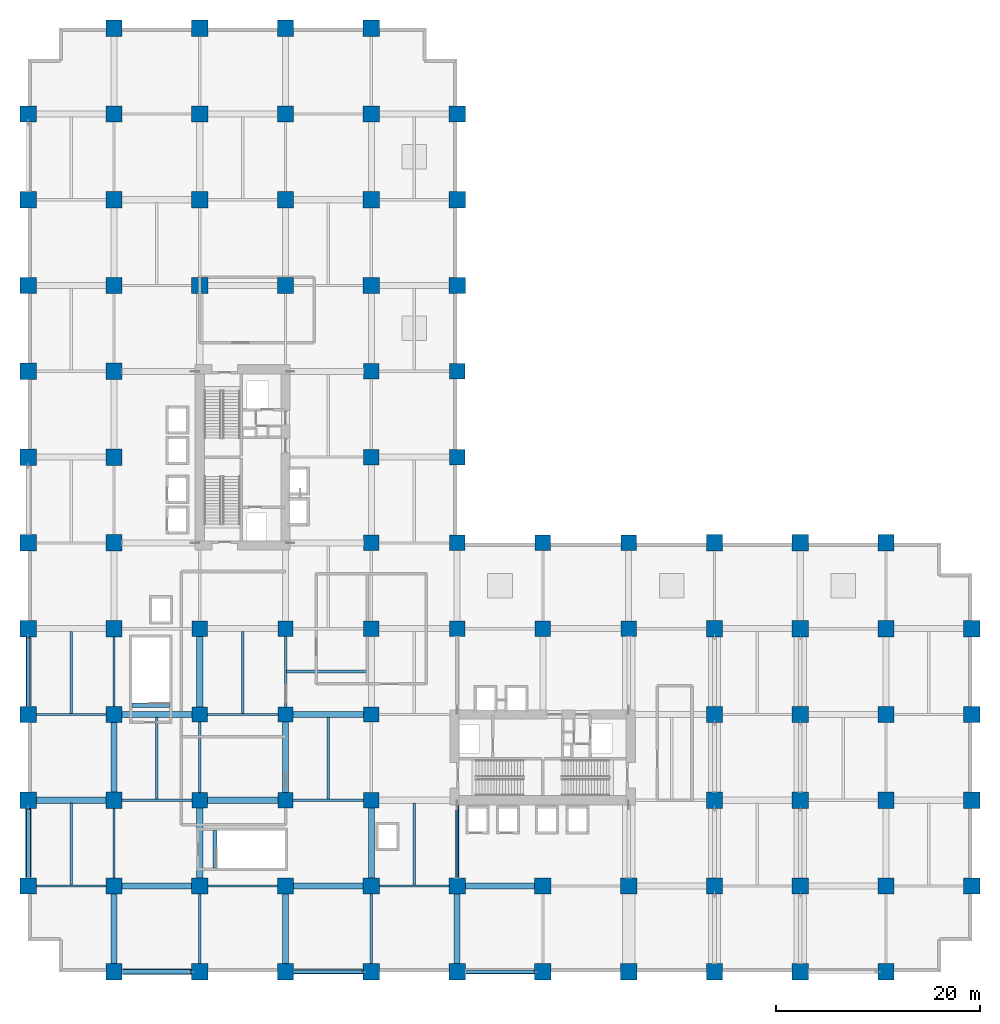
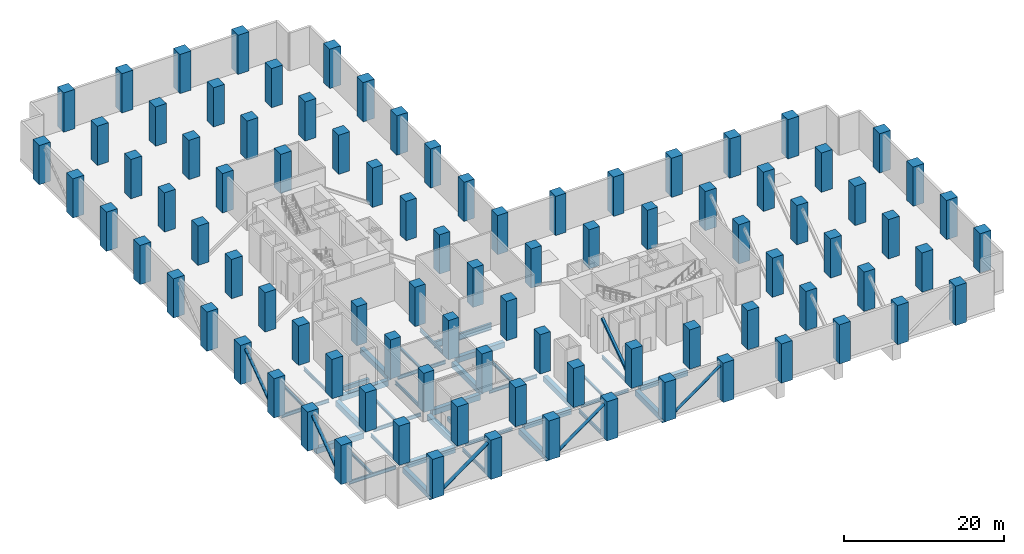
# One storey, part 1 of 20: 91 columns, 38 beams, 6 members.
"""IFC4 building model written with IfcOpenShell, lengths in metres."""

from ifc_helpers import new_model, si_unit, direction, frame, origin, origin_2d, place, context, subcontext, project, spatial, rectangle, hollow_rectangle, hollow_circle, i_section, extrude, material, material_profile, profile_set, type_object, element, save


model = new_model("IFC4")

# Units and contexts
model_context = context("Model", 3, precision=1e-05, world=origin(), true_north=direction((0.0, 1.0)))
body_context = subcontext(model_context, "Body", "Model", "MODEL_VIEW")
ifc_project = project(units=[si_unit("LENGTHUNIT", "METRE"), si_unit("AREAUNIT", "SQUARE_METRE"), si_unit("VOLUMEUNIT", "CUBIC_METRE"), si_unit("PLANEANGLEUNIT", "RADIAN"), si_unit("MASSUNIT", "GRAM", prefix="KILO")], contexts=[model_context])

# Site, building, storey
site_placement = place(None, origin())
site = spatial("IfcSite", under=ifc_project, at=site_placement, CompositionType="ELEMENT")
building_placement = place(site_placement, origin())
building = spatial("IfcBuilding", under=site, at=building_placement, Name="Koriwani Terraces Tower", CompositionType="ELEMENT")
storey_placement = place(building_placement, frame((0.0, 0.0, 26.0)))
storey = spatial("IfcBuildingStorey", under=building, at=storey_placement, Name="L05", CompositionType="ELEMENT", Elevation=26.0)

# Columns
ifc_material_1 = material(Name="Concrete C60/75", Category="concrete")
ifc_material_profile_1 = material_profile(ifc_material_1, rectangle(XDim=1.5, YDim=1.5, at=origin_2d()), Name="Concrete C60/75", Category="LoadBearing")
ifc_profile_set_1 = profile_set([ifc_material_profile_1], Name="Concrete C60/75")
column_type_1 = type_object("IfcColumnType", Name="COL_RC_1500X1500", PredefinedType="COLUMN", material=ifc_profile_set_1)
for number, where, z_axis, x_axis, name in (
    (1, (16.800048828125, 16.800048828125, 0.0), (0.0, 0.0, 1.0), (1.0, 0.0, 0.0), "L05 Column 3/C"),
    (2, (16.800048828125, 25.199951171875, 0.0), (0.0, 0.0, 1.0), (1.0, 0.0, 0.0), "L05 Column 3/D"),
    (3, (16.800048828125, 33.60009765625, 0.0), (0.0, 0.0, 1.0), (1.0, 0.0, 0.0), "L05 Column 3/E"),
    (4, (25.199951171875, 16.800048828125, 0.0), (0.0, 0.0, 1.0), (1.0, 0.0, 0.0), "L05 Column 4/C"),
    (5, (25.199951171875, 25.199951171875, 0.0), (0.0, 0.0, 1.0), (1.0, 0.0, 0.0), "L05 Column 4/D"),
    (6, (25.199951171875, 33.60009765625, 0.0), (0.0, 0.0, 1.0), (1.0, 0.0, 0.0), "L05 Column 4/E"),
    (7, (33.60009765625, 16.800048828125, 0.0), (0.0, 0.0, 1.0), (1.0, 0.0, 0.0), "L05 Column 5/C"),
    (8, (33.60009765625, 25.199951171875, 0.0), (0.0, 0.0, 1.0), (1.0, 0.0, 0.0), "L05 Column 5/D"),
    (9, (33.60009765625, 33.60009765625, 0.0), (0.0, 0.0, 1.0), (1.0, 0.0, 0.0), "L05 Column 5/E"),
    (10, (33.60009765625, 42.0, 0.0), (0.0, 0.0, 1.0), (1.0, 0.0, 0.0), "L05 Column 5/F"),
    (11, (33.60009765625, 50.39990234375, 0.0), (0.0, 0.0, 1.0), (1.0, 0.0, 0.0), "L05 Column 5/G"),
    (12, (33.60009765625, 58.800048828125, 0.0), (0.0, 0.0, 1.0), (1.0, 0.0, 0.0), "L05 Column 5/H"),
    (13, (42.0, 33.60009765625, 0.0), (0.0, 0.0, 1.0), (1.0, 0.0, 0.0), "L05 Column 6/E"),
    (14, (42.0, 42.0, 0.0), (0.0, 0.0, 1.0), (1.0, 0.0, 0.0), "L05 Column 6/F"),
    (15, (42.0, 50.39990234375, 0.0), (0.0, 0.0, 1.0), (1.0, 0.0, 0.0), "L05 Column 6/G"),
    (16, (42.0, 58.800048828125, 0.0), (0.0, 0.0, 1.0), (1.0, 0.0, 0.0), "L05 Column 6/H"),
    (17, (50.39990234375, 33.60009765625, 0.0), (0.0, 0.0, 1.0), (1.0, 0.0, 0.0), "L05 Column 7/E"),
    (18, (50.39990234375, 42.0, 0.0), (0.0, 0.0, 1.0), (1.0, 0.0, 0.0), "L05 Column 7/F"),
    (19, (58.800048828125, 33.60009765625, 0.0), (0.0, 0.0, 1.0), (1.0, 0.0, 0.0), "L05 Column 8/E"),
    (20, (58.800048828125, 42.0, 0.0), (0.0, 0.0, 1.0), (1.0, 0.0, 0.0), "L05 Column 8/F"),
):
    element("IfcColumn", number, at=place(storey_placement, frame(where, z_axis=z_axis, x_axis=x_axis)), inside=storey, type_object=column_type_1, Name=name, PredefinedType="COLUMN", context=body_context, shape_type="SweptSolid", body=[
        extrude(rectangle(XDim=1.5, YDim=1.5, at=origin_2d()), origin(), (0.0, 0.0, 1.0), 6.0),
    ])
ifc_material_profile_2 = material_profile(ifc_material_1, rectangle(XDim=1.60009765625, YDim=1.60009765625, at=origin_2d()), Name="Concrete C60/75", Category="LoadBearing")
ifc_profile_set_2 = profile_set([ifc_material_profile_2], Name="Concrete C60/75")
column_type_2 = type_object("IfcColumnType", Name="COL_RC_1600X1600", PredefinedType="COLUMN", material=ifc_profile_set_2)
for number, where, z_axis, x_axis, name in (
    (21, (0.0, 8.39990234375, 0.0), (0.0, 0.0, 1.0), (1.0, 0.0, 0.0), "L05 Column 1/B"),
    (22, (0.0, 16.800048828125, 0.0), (0.0, 0.0, 1.0), (1.0, 0.0, 0.0), "L05 Column 1/C"),
    (23, (0.0, 25.199951171875, 0.0), (0.0, 0.0, 1.0), (1.0, 0.0, 0.0), "L05 Column 1/D"),
    (24, (0.0, 33.60009765625, 0.0), (0.0, 0.0, 1.0), (1.0, 0.0, 0.0), "L05 Column 1/E"),
    (25, (0.0, 42.0, 0.0), (0.0, 0.0, 1.0), (1.0, 0.0, 0.0), "L05 Column 1/F"),
    (26, (0.0, 50.39990234375, 0.0), (0.0, 0.0, 1.0), (1.0, 0.0, 0.0), "L05 Column 1/G"),
    (27, (0.0, 58.800048828125, 0.0), (0.0, 0.0, 1.0), (1.0, 0.0, 0.0), "L05 Column 1/H"),
    (28, (0.0, 67.199951171875, 0.0), (0.0, 0.0, 1.0), (1.0, 0.0, 0.0), "L05 Column 1/I"),
    (29, (0.0, 75.60009765625, 0.0), (0.0, 0.0, 1.0), (1.0, 0.0, 0.0), "L05 Column 1/J"),
    (30, (0.0, 84.0, 0.0), (0.0, 0.0, 1.0), (1.0, 0.0, 0.0), "L05 Column 1/K"),
    (31, (8.39990234375, 0.0, 0.0), (0.0, 0.0, 1.0), (1.0, 0.0, 0.0), "L05 Column 2/A"),
    (32, (8.39990234375, 8.39990234375, 0.0), (0.0, 0.0, 1.0), (1.0, 0.0, 0.0), "L05 Column 2/B"),
    (33, (8.39990234375, 16.800048828125, 0.0), (0.0, 0.0, 1.0), (1.0, 0.0, 0.0), "L05 Column 2/C"),
    (34, (8.39990234375, 25.199951171875, 0.0), (0.0, 0.0, 1.0), (1.0, 0.0, 0.0), "L05 Column 2/D"),
    (35, (8.39990234375, 33.60009765625, 0.0), (0.0, 0.0, 1.0), (1.0, 0.0, 0.0), "L05 Column 2/E"),
    (36, (8.39990234375, 42.0, 0.0), (0.0, 0.0, 1.0), (1.0, 0.0, 0.0), "L05 Column 2/F"),
    (37, (8.39990234375, 50.39990234375, 0.0), (0.0, 0.0, 1.0), (1.0, 0.0, 0.0), "L05 Column 2/G"),
    (38, (8.39990234375, 58.800048828125, 0.0), (0.0, 0.0, 1.0), (1.0, 0.0, 0.0), "L05 Column 2/H"),
    (39, (8.39990234375, 67.199951171875, 0.0), (0.0, 0.0, 1.0), (1.0, 0.0, 0.0), "L05 Column 2/I"),
    (40, (8.39990234375, 75.60009765625, 0.0), (0.0, 0.0, 1.0), (1.0, 0.0, 0.0), "L05 Column 2/J"),
    (41, (8.39990234375, 84.0, 0.0), (0.0, 0.0, 1.0), (1.0, 0.0, 0.0), "L05 Column 2/K"),
    (42, (8.39990234375, 92.39990234375, 0.0), (0.0, 0.0, 1.0), (1.0, 0.0, 0.0), "L05 Column 2/L"),
    (43, (16.800048828125, 0.0, 0.0), (0.0, 0.0, 1.0), (1.0, 0.0, 0.0), "L05 Column 3/A"),
    (44, (16.800048828125, 8.39990234375, 0.0), (0.0, 0.0, 1.0), (1.0, 0.0, 0.0), "L05 Column 3/B"),
    (45, (16.800048828125, 67.199951171875, 0.0), (0.0, 0.0, 1.0), (1.0, 0.0, 0.0), "L05 Column 3/I"),
    (46, (16.800048828125, 75.60009765625, 0.0), (0.0, 0.0, 1.0), (1.0, 0.0, 0.0), "L05 Column 3/J"),
    (47, (16.800048828125, 84.0, 0.0), (0.0, 0.0, 1.0), (1.0, 0.0, 0.0), "L05 Column 3/K"),
    (48, (16.800048828125, 92.39990234375, 0.0), (0.0, 0.0, 1.0), (1.0, 0.0, 0.0), "L05 Column 3/L"),
    (49, (25.199951171875, 0.0, 0.0), (0.0, 0.0, 1.0), (1.0, 0.0, 0.0), "L05 Column 4/A"),
    (50, (25.199951171875, 8.39990234375, 0.0), (0.0, 0.0, 1.0), (1.0, 0.0, 0.0), "L05 Column 4/B"),
    (51, (25.199951171875, 67.199951171875, 0.0), (0.0, 0.0, 1.0), (1.0, 0.0, 0.0), "L05 Column 4/I"),
    (52, (25.199951171875, 75.60009765625, 0.0), (0.0, 0.0, 1.0), (1.0, 0.0, 0.0), "L05 Column 4/J"),
    (53, (25.199951171875, 84.0, 0.0), (0.0, 0.0, 1.0), (1.0, 0.0, 0.0), "L05 Column 4/K"),
    (54, (25.199951171875, 92.39990234375, 0.0), (0.0, 0.0, 1.0), (1.0, 0.0, 0.0), "L05 Column 4/L"),
    (55, (33.60009765625, 0.0, 0.0), (0.0, 0.0, 1.0), (1.0, 0.0, 0.0), "L05 Column 5/A"),
    (56, (33.60009765625, 8.39990234375, 0.0), (0.0, 0.0, 1.0), (1.0, 0.0, 0.0), "L05 Column 5/B"),
    (57, (33.60009765625, 67.199951171875, 0.0), (0.0, 0.0, 1.0), (1.0, 0.0, 0.0), "L05 Column 5/I"),
    (58, (33.60009765625, 75.60009765625, 0.0), (0.0, 0.0, 1.0), (1.0, 0.0, 0.0), "L05 Column 5/J"),
    (59, (33.60009765625, 84.0, 0.0), (0.0, 0.0, 1.0), (1.0, 0.0, 0.0), "L05 Column 5/K"),
    (60, (33.60009765625, 92.39990234375, 0.0), (0.0, 0.0, 1.0), (1.0, 0.0, 0.0), "L05 Column 5/L"),
    (61, (42.0, 0.0, 0.0), (0.0, 0.0, 1.0), (1.0, 0.0, 0.0), "L05 Column 6/A"),
    (62, (42.0, 8.39990234375, 0.0), (0.0, 0.0, 1.0), (1.0, 0.0, 0.0), "L05 Column 6/B"),
    (63, (42.0, 67.199951171875, 0.0), (0.0, 0.0, 1.0), (1.0, 0.0, 0.0), "L05 Column 6/I"),
    (64, (42.0, 75.60009765625, 0.0), (0.0, 0.0, 1.0), (1.0, 0.0, 0.0), "L05 Column 6/J"),
    (65, (42.0, 84.0, 0.0), (0.0, 0.0, 1.0), (1.0, 0.0, 0.0), "L05 Column 6/K"),
    (66, (50.39990234375, 0.0, 0.0), (0.0, 0.0, 1.0), (1.0, 0.0, 0.0), "L05 Column 7/A"),
    (67, (50.39990234375, 8.39990234375, 0.0), (0.0, 0.0, 1.0), (1.0, 0.0, 0.0), "L05 Column 7/B"),
    (68, (58.800048828125, 0.0, 0.0), (0.0, 0.0, 1.0), (1.0, 0.0, 0.0), "L05 Column 8/A"),
    (69, (58.800048828125, 8.39990234375, 0.0), (0.0, 0.0, 1.0), (1.0, 0.0, 0.0), "L05 Column 8/B"),
    (70, (67.199951171875, 0.0, 0.0), (0.0, 0.0, 1.0), (1.0, 0.0, 0.0), "L05 Column 9/A"),
    (71, (67.199951171875, 8.39990234375, 0.0), (0.0, 0.0, 1.0), (1.0, 0.0, 0.0), "L05 Column 9/B"),
    (72, (67.199951171875, 16.800048828125, 0.0), (0.0, 0.0, 1.0), (1.0, 0.0, 0.0), "L05 Column 9/C"),
    (73, (67.199951171875, 25.199951171875, 0.0), (0.0, 0.0, 1.0), (1.0, 0.0, 0.0), "L05 Column 9/D"),
    (74, (67.199951171875, 33.60009765625, 0.0), (0.0, 0.0, 1.0), (1.0, 0.0, 0.0), "L05 Column 9/E"),
    (75, (67.199951171875, 42.0, 0.0), (0.0, 0.0, 1.0), (1.0, 0.0, 0.0), "L05 Column 9/F"),
    (76, (75.60009765625, 0.0, 0.0), (0.0, 0.0, 1.0), (1.0, 0.0, 0.0), "L05 Column 10/A"),
    (77, (75.60009765625, 8.39990234375, 0.0), (0.0, 0.0, 1.0), (1.0, 0.0, 0.0), "L05 Column 10/B"),
    (78, (75.60009765625, 16.800048828125, 0.0), (0.0, 0.0, 1.0), (1.0, 0.0, 0.0), "L05 Column 10/C"),
    (79, (75.60009765625, 25.199951171875, 0.0), (0.0, 0.0, 1.0), (1.0, 0.0, 0.0), "L05 Column 10/D"),
    (80, (75.60009765625, 33.60009765625, 0.0), (0.0, 0.0, 1.0), (1.0, 0.0, 0.0), "L05 Column 10/E"),
    (81, (75.60009765625, 42.0, 0.0), (0.0, 0.0, 1.0), (1.0, 0.0, 0.0), "L05 Column 10/F"),
    (82, (84.0, 0.0, 0.0), (0.0, 0.0, 1.0), (1.0, 0.0, 0.0), "L05 Column 11/A"),
    (83, (84.0, 8.39990234375, 0.0), (0.0, 0.0, 1.0), (1.0, 0.0, 0.0), "L05 Column 11/B"),
    (84, (84.0, 16.800048828125, 0.0), (0.0, 0.0, 1.0), (1.0, 0.0, 0.0), "L05 Column 11/C"),
    (85, (84.0, 25.199951171875, 0.0), (0.0, 0.0, 1.0), (1.0, 0.0, 0.0), "L05 Column 11/D"),
    (86, (84.0, 33.60009765625, 0.0), (0.0, 0.0, 1.0), (1.0, 0.0, 0.0), "L05 Column 11/E"),
    (87, (84.0, 42.0, 0.0), (0.0, 0.0, 1.0), (1.0, 0.0, 0.0), "L05 Column 11/F"),
    (88, (92.39990234375, 8.39990234375, 0.0), (0.0, 0.0, 1.0), (1.0, 0.0, 0.0), "L05 Column 12/B"),
    (89, (92.39990234375, 16.800048828125, 0.0), (0.0, 0.0, 1.0), (1.0, 0.0, 0.0), "L05 Column 12/C"),
    (90, (92.39990234375, 25.199951171875, 0.0), (0.0, 0.0, 1.0), (1.0, 0.0, 0.0), "L05 Column 12/D"),
    (91, (92.39990234375, 33.60009765625, 0.0), (0.0, 0.0, 1.0), (1.0, 0.0, 0.0), "L05 Column 12/E"),
):
    element("IfcColumn", number, at=place(storey_placement, frame(where, z_axis=z_axis, x_axis=x_axis)), inside=storey, type_object=column_type_2, Name=name, PredefinedType="COLUMN", context=body_context, shape_type="SweptSolid", body=[
        extrude(rectangle(XDim=1.60009765625, YDim=1.60009765625, at=origin_2d()), origin(), (0.0, 0.0, 1.0), 6.0),
    ])

# Beams
ifc_material_2 = material(Name="Concrete C40/50", Category="concrete")
ifc_material_profile_3 = material_profile(ifc_material_2, rectangle(XDim=0.39990234375, YDim=0.60009765625, at=origin_2d()), Name="Concrete C40/50", Category="LoadBearing")
ifc_profile_set_3 = profile_set([ifc_material_profile_3], Name="Concrete C40/50")
beam_type_1 = type_object("IfcBeamType", Name="BEAM_RC_GRID_400X600", PredefinedType="BEAM", material=ifc_profile_set_3)
for number, where, z_axis, x_axis, name in (
    (92, (10.14990234375, 26.10498046875, -0.300048828125), (1.0, 0.0, 0.0), (0.0, 1.0, 0.0), "L05 Stairwell Header Trimmer Beam ST-P1"),
    (93, (18.304931640625, 10.14990234375, -0.300048828125), (0.0, 1.0, 0.0), (-1.0, 0.0, 0.0), "L05 Stairwell Header Trimmer Beam ST-P2"),
):
    element("IfcBeam", number, at=place(storey_placement, frame(where, z_axis=z_axis, x_axis=x_axis)), inside=storey, type_object=beam_type_1, Name=name, PredefinedType="BEAM", context=body_context, shape_type="SweptSolid", body=[
        extrude(rectangle(XDim=0.39990234375, YDim=0.60009765625, at=origin_2d()), origin(), (0.0, 0.0, 1.0), 3.7001953125),
    ])
ifc_material_profile_4 = material_profile(ifc_material_1, rectangle(XDim=0.60009765625, YDim=0.85009765625, at=origin_2d()), Name="Concrete C60/75", Category="LoadBearing")
ifc_profile_set_4 = profile_set([ifc_material_profile_4], Name="Concrete C60/75")
beam_type_2 = type_object("IfcBeamType", Name="BEAM_RC_GRID_600X850", PredefinedType="BEAM", material=ifc_profile_set_4)
for number, where, z_axis, x_axis, name in (
    (94, (9.179931640625, 8.39990234375, -0.875), (1.0, 0.0, 0.0), (0.0, 1.0, 0.0), "L05 Grid Beam B (8.4-16.8m)"),
    (95, (25.97998046875, 8.39990234375, -0.875), (1.0, 0.0, 0.0), (0.0, 1.0, 0.0), "L05 Grid Beam B (25.2-33.6m)"),
    (96, (42.780029296875, 8.39990234375, -0.875), (1.0, 0.0, 0.0), (0.0, 1.0, 0.0), "L05 Grid Beam B (42.0-50.4m)"),
    (97, (0.780029296875, 16.800048828125, -0.875), (1.0, 0.0, 0.0), (0.0, 1.0, 0.0), "L05 Grid Beam C (0.0-8.4m)"),
):
    element("IfcBeam", number, at=place(storey_placement, frame(where, z_axis=z_axis, x_axis=x_axis)), inside=storey, type_object=beam_type_2, Name=name, PredefinedType="BEAM", context=body_context, shape_type="SweptSolid", body=[
        extrude(rectangle(XDim=0.60009765625, YDim=0.85009765625, at=origin_2d()), origin(), (0.0, 0.0, 1.0), 6.840087890625),
    ])
beam_1_placement = place(storey_placement, frame((17.530029296875, 16.800048828125, -0.875), z_axis=(1.0, 0.0, 0.0), x_axis=(0.0, 1.0, 0.0)))
element("IfcBeam", 98, at=beam_1_placement, inside=storey, type_object=beam_type_2, Name="L05 Grid Beam C (16.8-25.2m)", PredefinedType="BEAM", context=body_context, shape_type="SweptSolid", body=[
    extrude(rectangle(XDim=0.60009765625, YDim=0.85009765625, at=origin_2d()), origin(), (0.0, 0.0, 1.0), 6.93994140625),
])
beam_2_placement = place(storey_placement, frame((9.179931640625, 25.199951171875, -0.875), z_axis=(1.0, 0.0, 0.0), x_axis=(0.0, 1.0, 0.0)))
element("IfcBeam", 99, at=beam_2_placement, inside=storey, type_object=beam_type_2, Name="L05 Grid Beam D (8.4-16.8m)", PredefinedType="BEAM", context=body_context, shape_type="SweptSolid", body=[
    extrude(rectangle(XDim=0.60009765625, YDim=0.85009765625, at=origin_2d()), origin(), (0.0, 0.0, 1.0), 6.89013671875),
])
beam_3_placement = place(storey_placement, frame((25.929931640625, 25.199951171875, -0.875), z_axis=(1.0, 0.0, 0.0), x_axis=(0.0, 1.0, 0.0)))
element("IfcBeam", 100, at=beam_3_placement, inside=storey, type_object=beam_type_2, Name="L05 Grid Beam D (25.2-33.6m)", PredefinedType="BEAM", context=body_context, shape_type="SweptSolid", body=[
    extrude(rectangle(XDim=0.60009765625, YDim=0.85009765625, at=origin_2d()), origin(), (0.0, 0.0, 1.0), 6.940185546875),
])
beam_4_placement = place(storey_placement, frame((8.39990234375, 0.780029296875, -0.875), z_axis=(0.0, 1.0, 0.0), x_axis=(-1.0, 0.0, 0.0)))
element("IfcBeam", 101, at=beam_4_placement, inside=storey, type_object=beam_type_2, Name="L05 Grid Beam 2 (0.0-8.4m)", PredefinedType="BEAM", context=body_context, shape_type="SweptSolid", body=[
    extrude(rectangle(XDim=0.60009765625, YDim=0.85009765625, at=origin_2d()), origin(), (0.0, 0.0, 1.0), 6.840087890625),
])
beam_5_placement = place(storey_placement, frame((8.39990234375, 17.580078125, -0.875), z_axis=(0.0, 1.0, 0.0), x_axis=(-1.0, 0.0, 0.0)))
element("IfcBeam", 102, at=beam_5_placement, inside=storey, type_object=beam_type_2, Name="L05 Grid Beam 2 (16.8-25.2m)", PredefinedType="BEAM", context=body_context, shape_type="SweptSolid", body=[
    extrude(rectangle(XDim=0.60009765625, YDim=0.85009765625, at=origin_2d()), origin(), (0.0, 0.0, 1.0), 6.83984375),
])
beam_6_placement = place(storey_placement, frame((16.800048828125, 9.179931640625, -0.875), z_axis=(0.0, 1.0, 0.0), x_axis=(-1.0, 0.0, 0.0)))
element("IfcBeam", 103, at=beam_6_placement, inside=storey, type_object=beam_type_2, Name="L05 Grid Beam 3 (8.4-16.8m)", PredefinedType="BEAM", context=body_context, shape_type="SweptSolid", body=[
    extrude(rectangle(XDim=0.60009765625, YDim=0.85009765625, at=origin_2d()), origin(), (0.0, 0.0, 1.0), 6.89013671875),
])
beam_7_placement = place(storey_placement, frame((16.800048828125, 25.929931640625, -0.875), z_axis=(0.0, 1.0, 0.0), x_axis=(-1.0, 0.0, 0.0)))
element("IfcBeam", 104, at=beam_7_placement, inside=storey, type_object=beam_type_2, Name="L05 Grid Beam 3 (25.2-33.6m)", PredefinedType="BEAM", context=body_context, shape_type="SweptSolid", body=[
    extrude(rectangle(XDim=0.60009765625, YDim=0.85009765625, at=origin_2d()), origin(), (0.0, 0.0, 1.0), 6.940185546875),
])
beam_8_placement = place(storey_placement, frame((25.199951171875, 0.780029296875, -0.875), z_axis=(0.0, 1.0, 0.0), x_axis=(-1.0, 0.0, 0.0)))
element("IfcBeam", 105, at=beam_8_placement, inside=storey, type_object=beam_type_2, Name="L05 Grid Beam 4 (0.0-8.4m)", PredefinedType="BEAM", context=body_context, shape_type="SweptSolid", body=[
    extrude(rectangle(XDim=0.60009765625, YDim=0.85009765625, at=origin_2d()), origin(), (0.0, 0.0, 1.0), 6.840087890625),
])
beam_9_placement = place(storey_placement, frame((25.199951171875, 17.530029296875, -0.875), z_axis=(0.0, 1.0, 0.0), x_axis=(-1.0, 0.0, 0.0)))
element("IfcBeam", 106, at=beam_9_placement, inside=storey, type_object=beam_type_2, Name="L05 Grid Beam 4 (16.8-25.2m)", PredefinedType="BEAM", context=body_context, shape_type="SweptSolid", body=[
    extrude(rectangle(XDim=0.60009765625, YDim=0.85009765625, at=origin_2d()), origin(), (0.0, 0.0, 1.0), 6.93994140625),
])
beam_10_placement = place(storey_placement, frame((33.60009765625, 9.179931640625, -0.875), z_axis=(0.0, 1.0, 0.0), x_axis=(-1.0, 0.0, 0.0)))
element("IfcBeam", 107, at=beam_10_placement, inside=storey, type_object=beam_type_2, Name="L05 Grid Beam 5 (8.4-16.8m)", PredefinedType="BEAM", context=body_context, shape_type="SweptSolid", body=[
    extrude(rectangle(XDim=0.60009765625, YDim=0.85009765625, at=origin_2d()), origin(), (0.0, 0.0, 1.0), 6.89013671875),
])
beam_11_placement = place(storey_placement, frame((42.0, 0.780029296875, -0.875), z_axis=(0.0, 1.0, 0.0), x_axis=(-1.0, 0.0, 0.0)))
element("IfcBeam", 108, at=beam_11_placement, inside=storey, type_object=beam_type_2, Name="L05 Grid Beam 6 (0.0-8.4m)", PredefinedType="BEAM", context=body_context, shape_type="SweptSolid", body=[
    extrude(rectangle(XDim=0.60009765625, YDim=0.85009765625, at=origin_2d()), origin(), (0.0, 0.0, 1.0), 6.840087890625),
])

# Members
ifc_material_3 = material(Name="Steel ASTM A572 Grade 50", Category="steel")
ifc_material_profile_5 = material_profile(ifc_material_3, hollow_circle(Radius=0.202880859375, WallThickness=0.01611328125, at=origin_2d()), Name="Steel ASTM A572 Grade 50", Category="LoadBearing")
ifc_profile_set_5 = profile_set([ifc_material_profile_5], Name="Steel ASTM A572 Grade 50")
member_type_1 = type_object("IfcMemberType", Name="BELT_TRUSS_DIAG_CHS406X16", PredefinedType="BRACE", material=ifc_profile_set_5)
member_1_placement = place(storey_placement, frame((42.780029296875, 0.0, 0.25), z_axis=(0.810123018581, 0.0, 0.586259920824), x_axis=(0.0, 1.0, 0.0)))
element("IfcMember", 109, at=member_1_placement, inside=storey, type_object=member_type_1, Name="Belt truss diagonal L05-BS3", PredefinedType="BRACE", context=body_context, shape_type="SweptSolid", body=[
    extrude(hollow_circle(Radius=0.202880859375, WallThickness=0.01611328125, at=origin_2d()), origin(), (0.0, 0.0, 1.0), 8.443359375),
])
ifc_material_profile_6 = material_profile(ifc_material_3, hollow_circle(Radius=0.228515625, WallThickness=0.01611328125, at=origin_2d()), Name="Steel ASTM A572 Grade 50", Category="LoadBearing")
ifc_profile_set_6 = profile_set([ifc_material_profile_6], Name="Steel ASTM A572 Grade 50")
member_type_2 = type_object("IfcMemberType", Name="BELT_TRUSS_DIAG_CHS457X16", PredefinedType="STRUT", material=ifc_profile_set_6)
for number, where, z_axis, x_axis, name in (
    (110, (25.97998046875, 0.0, 0.25), (0.810123018581, 0.0, 0.586259920824), (0.0, 1.0, 0.0), "Belt truss diagonal L05-BS2"),
    (111, (0.0, 25.97998046875, 0.25), (0.0, 0.810123018581, 0.586259920824), (-1.0, 0.0, 0.0), "Belt truss diagonal L05-BW2"),
):
    element("IfcMember", number, at=place(storey_placement, frame(where, z_axis=z_axis, x_axis=x_axis)), inside=storey, type_object=member_type_2, Name=name, PredefinedType="STRUT", context=body_context, shape_type="SweptSolid", body=[
        extrude(hollow_circle(Radius=0.228515625, WallThickness=0.01611328125, at=origin_2d()), origin(), (0.0, 0.0, 1.0), 8.443359375),
    ])
ifc_material_profile_7 = material_profile(ifc_material_3, hollow_circle(Radius=0.25390625, WallThickness=0.02001953125, at=origin_2d()), Name="Steel ASTM A572 Grade 50", Category="LoadBearing")
ifc_profile_set_7 = profile_set([ifc_material_profile_7], Name="Steel ASTM A572 Grade 50")
member_type_3 = type_object("IfcMemberType", Name="BELT_TRUSS_DIAG_CHS508X20", PredefinedType="STRUT", material=ifc_profile_set_7)
for number, where, z_axis, x_axis, name in (
    (112, (9.179931640625, 0.0, 0.25), (0.810123018581, 0.0, 0.586259920824), (0.0, 1.0, 0.0), "Belt truss diagonal L05-BS1"),
    (113, (0.0, 9.179931640625, 0.25), (0.0, 0.810123018581, 0.586259920824), (-1.0, 0.0, 0.0), "Belt truss diagonal L05-BW1"),
):
    element("IfcMember", number, at=place(storey_placement, frame(where, z_axis=z_axis, x_axis=x_axis)), inside=storey, type_object=member_type_3, Name=name, PredefinedType="STRUT", context=body_context, shape_type="SweptSolid", body=[
        extrude(hollow_circle(Radius=0.25390625, WallThickness=0.02001953125, at=origin_2d()), origin(), (0.0, 0.0, 1.0), 8.443359375),
    ])
ifc_material_profile_8 = material_profile(ifc_material_3, hollow_rectangle(XDim=0.35009765625, YDim=0.35009765625, WallThickness=0.01611328125, at=origin_2d()), Name="Steel ASTM A572 Grade 50", Category="LoadBearing")
ifc_profile_set_8 = profile_set([ifc_material_profile_8], Name="Steel ASTM A572 Grade 50")
member_type_4 = type_object("IfcMemberType", Name="OUTRIGGER_BRACE_HSS350X350X16", PredefinedType="BRACE", material=ifc_profile_set_8)
member_2_placement = place(storey_placement, frame((42.0, 9.179931640625, 0.25), z_axis=(0.0, 0.822200276844, 0.569198300031), x_axis=(-1.0, 0.0, 0.0)))
element("IfcMember", 114, at=member_2_placement, inside=storey, type_object=member_type_4, Name="Outrigger truss diagonal L05-OE-S1", PredefinedType="BRACE", context=body_context, shape_type="SweptSolid", body=[
    extrude(hollow_rectangle(XDim=0.35009765625, YDim=0.35009765625, WallThickness=0.01611328125, at=origin_2d()), origin(), (0.0, 0.0, 1.0), 8.6962890625),
])

# Beams
ifc_material_profile_9 = material_profile(ifc_material_3, i_section(OverallWidth=0.300048828125, OverallDepth=1.0, WebThickness=0.01904296875, FlangeThickness=0.035888671875, at=origin_2d()), Name="Steel ASTM A572 Grade 50", Category="LoadBearing")
ifc_profile_set_9 = profile_set([ifc_material_profile_9], Name="Steel ASTM A572 Grade 50")
beam_type_3 = type_object("IfcBeamType", Name="STEEL_BEAM_W1000X371", PredefinedType="USERDEFINED", material=ifc_profile_set_9)
beam_12_placement = place(storey_placement, frame((25.280029296875, 29.39990234375, -0.949951171875), z_axis=(1.0, 0.0, 0.0), x_axis=(0.0, 1.0, 0.0)))
element("IfcBeam", 115, at=beam_12_placement, inside=storey, type_object=beam_type_3, Name="L05 Podium Collector Steel Girder (STEEL_BEAM_W1000X371)", ObjectType="GIRDER", PredefinedType="USERDEFINED", context=body_context, shape_type="SweptSolid", body=[
    extrude(i_section(OverallWidth=0.300048828125, OverallDepth=1.0, WebThickness=0.01904296875, FlangeThickness=0.035888671875, at=origin_2d()), origin(), (0.0, 0.0, 1.0), 8.239990234375),
])
ifc_material_profile_10 = material_profile(ifc_material_3, i_section(OverallWidth=0.257080078125, OverallDepth=0.363037109375, WebThickness=0.012939453125, FlangeThickness=0.021728515625, at=origin_2d()), Name="Steel ASTM A572 Grade 50", Category="LoadBearing")
ifc_profile_set_10 = profile_set([ifc_material_profile_10], Name="Steel ASTM A572 Grade 50")
beam_type_4 = type_object("IfcBeamType", Name="STEEL_BEAM_W360X122", PredefinedType="JOIST", material=ifc_profile_set_10)
beam_13_placement = place(storey_placement, frame((4.199951171875, 8.49560546875, -0.631591796875), z_axis=(0.0, 1.0, 0.0), x_axis=(-1.0, 0.0, 0.0)))
element("IfcBeam", 116, at=beam_13_placement, inside=storey, type_object=beam_type_4, Name="L05 Secondary Steel Floor Joist X=4.2m", PredefinedType="JOIST", context=body_context, shape_type="SweptSolid", body=[
    extrude(i_section(OverallWidth=0.257080078125, OverallDepth=0.363037109375, WebThickness=0.012939453125, FlangeThickness=0.021728515625, at=origin_2d()), origin(), (0.0, 0.0, 1.0), 8.014404296875),
])
beam_14_placement = place(storey_placement, frame((4.199951171875, 25.29541015625, -0.631591796875), z_axis=(0.0, 1.0, 0.0), x_axis=(-1.0, 0.0, 0.0)))
element("IfcBeam", 117, at=beam_14_placement, inside=storey, type_object=beam_type_4, Name="L05 Secondary Steel Floor Joist X=4.2m", PredefinedType="JOIST", context=body_context, shape_type="SweptSolid", body=[
    extrude(i_section(OverallWidth=0.257080078125, OverallDepth=0.363037109375, WebThickness=0.012939453125, FlangeThickness=0.021728515625, at=origin_2d()), origin(), (0.0, 0.0, 1.0), 8.0146484375),
])
beam_15_placement = place(storey_placement, frame((12.60009765625, 16.8955078125, -0.631591796875), z_axis=(0.0, 1.0, 0.0), x_axis=(-1.0, 0.0, 0.0)))
element("IfcBeam", 118, at=beam_15_placement, inside=storey, type_object=beam_type_4, Name="L05 Secondary Steel Floor Joist X=12.6m", PredefinedType="JOIST", context=body_context, shape_type="SweptSolid", body=[
    extrude(i_section(OverallWidth=0.257080078125, OverallDepth=0.363037109375, WebThickness=0.012939453125, FlangeThickness=0.021728515625, at=origin_2d()), origin(), (0.0, 0.0, 1.0), 8.014404296875),
])
beam_16_placement = place(storey_placement, frame((21.0, 25.29541015625, -0.631591796875), z_axis=(0.0, 1.0, 0.0), x_axis=(-1.0, 0.0, 0.0)))
element("IfcBeam", 119, at=beam_16_placement, inside=storey, type_object=beam_type_4, Name="L05 Secondary Steel Floor Joist X=21.0m", PredefinedType="JOIST", context=body_context, shape_type="SweptSolid", body=[
    extrude(i_section(OverallWidth=0.257080078125, OverallDepth=0.363037109375, WebThickness=0.012939453125, FlangeThickness=0.021728515625, at=origin_2d()), origin(), (0.0, 0.0, 1.0), 8.0146484375),
])
for number, where, z_axis, x_axis, name in (
    (120, (29.39990234375, 16.8955078125, -0.631591796875), (0.0, 1.0, 0.0), (-1.0, 0.0, 0.0), "L05 Secondary Steel Floor Joist X=29.4m"),
    (121, (37.800048828125, 8.49560546875, -0.631591796875), (0.0, 1.0, 0.0), (-1.0, 0.0, 0.0), "L05 Secondary Steel Floor Joist X=37.8m"),
):
    element("IfcBeam", number, at=place(storey_placement, frame(where, z_axis=z_axis, x_axis=x_axis)), inside=storey, type_object=beam_type_4, Name=name, PredefinedType="JOIST", context=body_context, shape_type="SweptSolid", body=[
        extrude(i_section(OverallWidth=0.257080078125, OverallDepth=0.363037109375, WebThickness=0.012939453125, FlangeThickness=0.021728515625, at=origin_2d()), origin(), (0.0, 0.0, 1.0), 8.014404296875),
    ])
ifc_material_profile_11 = material_profile(ifc_material_3, i_section(OverallWidth=0.2109375, OverallDepth=0.5390625, WebThickness=0.01171875, FlangeThickness=0.018798828125, at=origin_2d()), Name="Steel ASTM A572 Grade 50", Category="LoadBearing")
ifc_profile_set_11 = profile_set([ifc_material_profile_11], Name="Steel ASTM A572 Grade 50")
beam_type_5 = type_object("IfcBeamType", Name="STEEL_BEAM_W530X109", PredefinedType="BEAM", material=ifc_profile_set_11)
beam_17_placement = place(storey_placement, frame((0.780029296875, 8.39990234375, -0.719482421875), z_axis=(1.0, 0.0, 0.0), x_axis=(0.0, 1.0, 0.0)))
element("IfcBeam", 122, at=beam_17_placement, inside=storey, type_object=beam_type_5, Name="L05 Grid Beam B (0.0-8.4m)", PredefinedType="BEAM", context=body_context, shape_type="SweptSolid", body=[
    extrude(i_section(OverallWidth=0.2109375, OverallDepth=0.5390625, WebThickness=0.01171875, FlangeThickness=0.018798828125, at=origin_2d()), origin(), (0.0, 0.0, 1.0), 6.840087890625),
])
beam_18_placement = place(storey_placement, frame((17.580078125, 8.39990234375, -0.719482421875), z_axis=(1.0, 0.0, 0.0), x_axis=(0.0, 1.0, 0.0)))
element("IfcBeam", 123, at=beam_18_placement, inside=storey, type_object=beam_type_5, Name="L05 Grid Beam B (16.8-25.2m)", PredefinedType="BEAM", context=body_context, shape_type="SweptSolid", body=[
    extrude(i_section(OverallWidth=0.2109375, OverallDepth=0.5390625, WebThickness=0.01171875, FlangeThickness=0.018798828125, at=origin_2d()), origin(), (0.0, 0.0, 1.0), 6.83984375),
])
beam_19_placement = place(storey_placement, frame((34.3798828125, 8.39990234375, -0.719482421875), z_axis=(1.0, 0.0, 0.0), x_axis=(0.0, 1.0, 0.0)))
element("IfcBeam", 124, at=beam_19_placement, inside=storey, type_object=beam_type_5, Name="L05 Grid Beam B (33.6-42.0m)", PredefinedType="BEAM", context=body_context, shape_type="SweptSolid", body=[
    extrude(i_section(OverallWidth=0.2109375, OverallDepth=0.5390625, WebThickness=0.01171875, FlangeThickness=0.018798828125, at=origin_2d()), origin(), (0.0, 0.0, 1.0), 6.840087890625),
])
beam_20_placement = place(storey_placement, frame((9.179931640625, 16.800048828125, -0.719482421875), z_axis=(1.0, 0.0, 0.0), x_axis=(0.0, 1.0, 0.0)))
element("IfcBeam", 125, at=beam_20_placement, inside=storey, type_object=beam_type_5, Name="L05 Grid Beam C (8.4-16.8m)", PredefinedType="BEAM", context=body_context, shape_type="SweptSolid", body=[
    extrude(i_section(OverallWidth=0.2109375, OverallDepth=0.5390625, WebThickness=0.01171875, FlangeThickness=0.018798828125, at=origin_2d()), origin(), (0.0, 0.0, 1.0), 6.89013671875),
])
beam_21_placement = place(storey_placement, frame((25.929931640625, 16.800048828125, -0.719482421875), z_axis=(1.0, 0.0, 0.0), x_axis=(0.0, 1.0, 0.0)))
element("IfcBeam", 126, at=beam_21_placement, inside=storey, type_object=beam_type_5, Name="L05 Grid Beam C (25.2-33.6m)", PredefinedType="BEAM", context=body_context, shape_type="SweptSolid", body=[
    extrude(i_section(OverallWidth=0.2109375, OverallDepth=0.5390625, WebThickness=0.01171875, FlangeThickness=0.018798828125, at=origin_2d()), origin(), (0.0, 0.0, 1.0), 6.940185546875),
])
beam_22_placement = place(storey_placement, frame((0.780029296875, 25.199951171875, -0.719482421875), z_axis=(1.0, 0.0, 0.0), x_axis=(0.0, 1.0, 0.0)))
element("IfcBeam", 127, at=beam_22_placement, inside=storey, type_object=beam_type_5, Name="L05 Grid Beam D (0.0-8.4m)", PredefinedType="BEAM", context=body_context, shape_type="SweptSolid", body=[
    extrude(i_section(OverallWidth=0.2109375, OverallDepth=0.5390625, WebThickness=0.01171875, FlangeThickness=0.018798828125, at=origin_2d()), origin(), (0.0, 0.0, 1.0), 6.840087890625),
])
beam_23_placement = place(storey_placement, frame((17.530029296875, 25.199951171875, -0.719482421875), z_axis=(1.0, 0.0, 0.0), x_axis=(0.0, 1.0, 0.0)))
element("IfcBeam", 128, at=beam_23_placement, inside=storey, type_object=beam_type_5, Name="L05 Grid Beam D (16.8-25.2m)", PredefinedType="BEAM", context=body_context, shape_type="SweptSolid", body=[
    extrude(i_section(OverallWidth=0.2109375, OverallDepth=0.5390625, WebThickness=0.01171875, FlangeThickness=0.018798828125, at=origin_2d()), origin(), (0.0, 0.0, 1.0), 6.93994140625),
])
for number, where, z_axis, x_axis, name in (
    (129, (8.39990234375, 9.179931640625, -0.719482421875), (0.0, 1.0, 0.0), (-1.0, 0.0, 0.0), "L05 Grid Beam 2 (8.4-16.8m)"),
    (130, (8.39990234375, 25.97998046875, -0.719482421875), (0.0, 1.0, 0.0), (-1.0, 0.0, 0.0), "L05 Grid Beam 2 (25.2-33.6m)"),
    (131, (16.800048828125, 0.780029296875, -0.719482421875), (0.0, 1.0, 0.0), (-1.0, 0.0, 0.0), "L05 Grid Beam 3 (0.0-8.4m)"),
):
    element("IfcBeam", number, at=place(storey_placement, frame(where, z_axis=z_axis, x_axis=x_axis)), inside=storey, type_object=beam_type_5, Name=name, PredefinedType="BEAM", context=body_context, shape_type="SweptSolid", body=[
        extrude(i_section(OverallWidth=0.2109375, OverallDepth=0.5390625, WebThickness=0.01171875, FlangeThickness=0.018798828125, at=origin_2d()), origin(), (0.0, 0.0, 1.0), 6.840087890625),
    ])
beam_24_placement = place(storey_placement, frame((16.800048828125, 17.530029296875, -0.719482421875), z_axis=(0.0, 1.0, 0.0), x_axis=(-1.0, 0.0, 0.0)))
element("IfcBeam", 132, at=beam_24_placement, inside=storey, type_object=beam_type_5, Name="L05 Grid Beam 3 (16.8-25.2m)", PredefinedType="BEAM", context=body_context, shape_type="SweptSolid", body=[
    extrude(i_section(OverallWidth=0.2109375, OverallDepth=0.5390625, WebThickness=0.01171875, FlangeThickness=0.018798828125, at=origin_2d()), origin(), (0.0, 0.0, 1.0), 6.93994140625),
])
beam_25_placement = place(storey_placement, frame((25.199951171875, 25.929931640625, -0.719482421875), z_axis=(0.0, 1.0, 0.0), x_axis=(-1.0, 0.0, 0.0)))
element("IfcBeam", 133, at=beam_25_placement, inside=storey, type_object=beam_type_5, Name="L05 Grid Beam 4 (25.2-33.6m)", PredefinedType="BEAM", context=body_context, shape_type="SweptSolid", body=[
    extrude(i_section(OverallWidth=0.2109375, OverallDepth=0.5390625, WebThickness=0.01171875, FlangeThickness=0.018798828125, at=origin_2d()), origin(), (0.0, 0.0, 1.0), 6.940185546875),
])
beam_26_placement = place(storey_placement, frame((33.60009765625, 0.780029296875, -0.719482421875), z_axis=(0.0, 1.0, 0.0), x_axis=(-1.0, 0.0, 0.0)))
element("IfcBeam", 134, at=beam_26_placement, inside=storey, type_object=beam_type_5, Name="L05 Grid Beam 5 (0.0-8.4m)", PredefinedType="BEAM", context=body_context, shape_type="SweptSolid", body=[
    extrude(i_section(OverallWidth=0.2109375, OverallDepth=0.5390625, WebThickness=0.01171875, FlangeThickness=0.018798828125, at=origin_2d()), origin(), (0.0, 0.0, 1.0), 6.840087890625),
])
beam_27_placement = place(storey_placement, frame((42.0, 9.179931640625, -0.719482421875), z_axis=(0.0, 1.0, 0.0), x_axis=(-1.0, 0.0, 0.0)))
element("IfcBeam", 135, at=beam_27_placement, inside=storey, type_object=beam_type_5, Name="L05 Grid Beam 6 (8.4-16.8m)", PredefinedType="BEAM", context=body_context, shape_type="SweptSolid", body=[
    extrude(i_section(OverallWidth=0.2109375, OverallDepth=0.5390625, WebThickness=0.01171875, FlangeThickness=0.018798828125, at=origin_2d()), origin(), (0.0, 0.0, 1.0), 7.190185546875),
])

save(model, "model.ifc")
